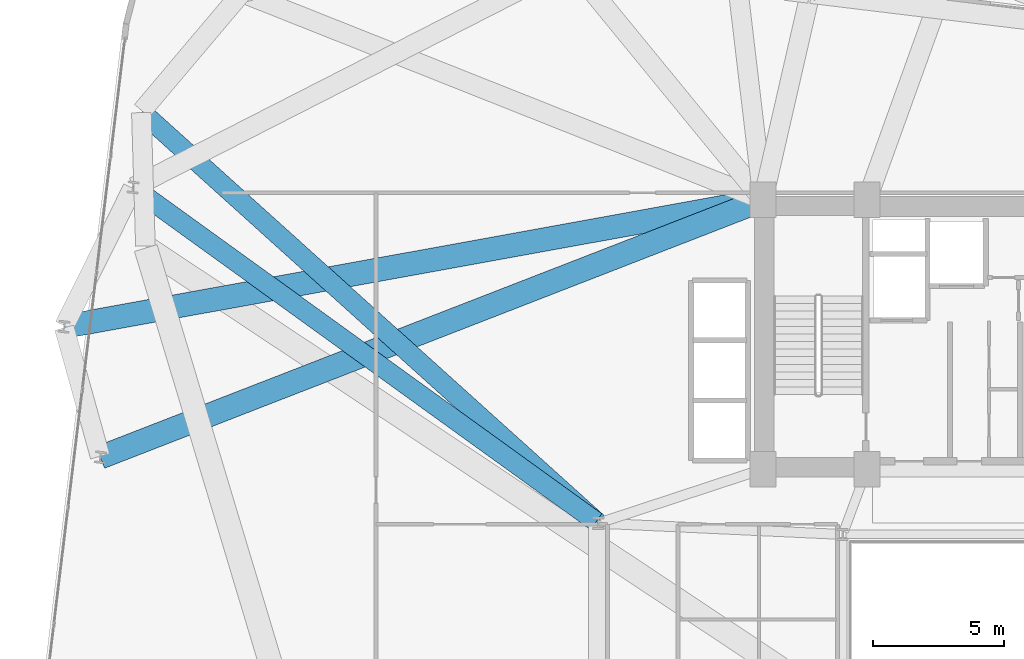
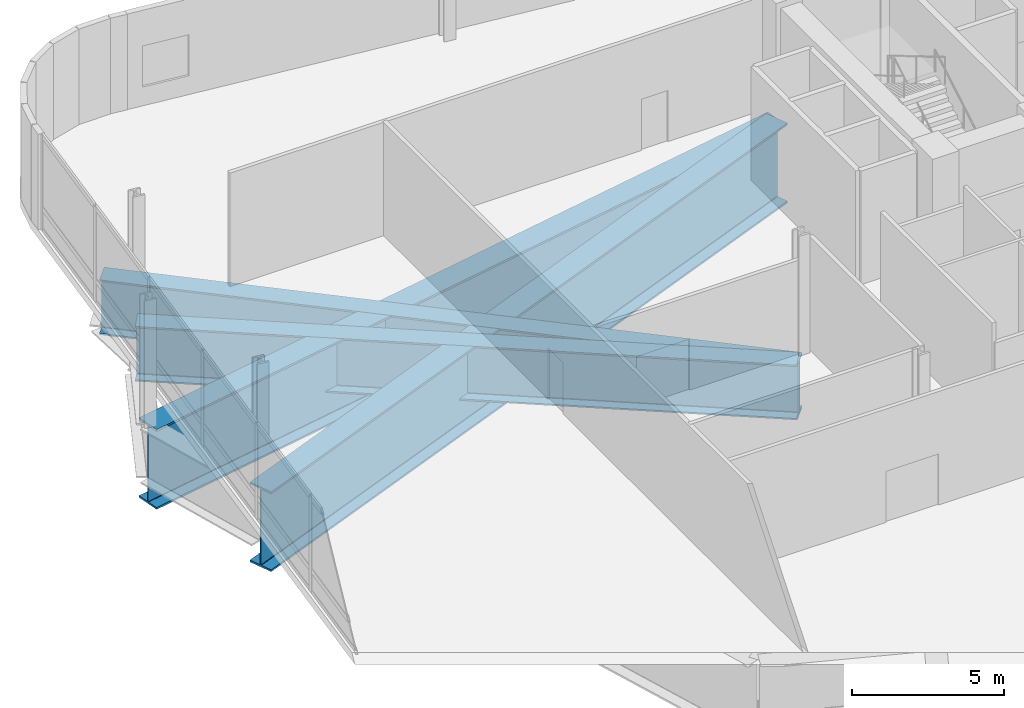
# One storey, part 7 of 22: 4 beams.
"""IFC4 building model written with IfcOpenShell, lengths in metres."""

from ifc_helpers import new_model, si_unit, direction, frame, origin, origin_2d, place, context, subcontext, project, spatial, i_section, extrude, material, material_profile, profile_set, type_object, element, save


model = new_model("IFC4")

# Units and contexts
model_context = context("Model", 3, precision=1e-05, world=origin(), true_north=direction((0.0, 1.0)))
body_context = subcontext(model_context, "Body", "Model", "MODEL_VIEW")
ifc_project = project(units=[si_unit("LENGTHUNIT", "METRE"), si_unit("AREAUNIT", "SQUARE_METRE"), si_unit("VOLUMEUNIT", "CUBIC_METRE"), si_unit("PLANEANGLEUNIT", "RADIAN"), si_unit("MASSUNIT", "GRAM", prefix="KILO")], contexts=[model_context])

# Site, building, storey
site_placement = place(None, origin())
site = spatial("IfcSite", under=ifc_project, at=site_placement, CompositionType="ELEMENT")
building_placement = place(site_placement, origin())
building = spatial("IfcBuilding", under=site, at=building_placement, Name="Varnelok Gate Tower", CompositionType="ELEMENT")
storey_placement = place(building_placement, frame((0.0, 0.0, 116.89990234375)))
storey = spatial("IfcBuildingStorey", under=building, at=storey_placement, Name="L29", CompositionType="ELEMENT", Elevation=116.89990234375)

# Beams
ifc_material = material(Name="Structural Steel ASTM A572 Grade 50", Category="steel")
ifc_material_profile_1 = material_profile(ifc_material, i_section(OverallWidth=0.75, OverallDepth=2.199951171875, WebThickness=0.031982421875, FlangeThickness=0.06005859375, FilletRadius=0.028076171875, at=origin_2d()), Name="PG2200X750")
ifc_profile_set_1 = profile_set([ifc_material_profile_1], Name="Structural Steel ASTM A572 Grade 50")
beam_type_1 = type_object("IfcBeamType", Name="BM-TR-PG2200", PredefinedType="BEAM", material=ifc_profile_set_1)
beam_1_placement = place(storey_placement, frame((24.370361328125, 26.706787109375, -1.419921875), z_axis=(-0.742905156387, 0.669396690022, 0.0), x_axis=(-0.669396690022, -0.742905156387, 0.0)))
element("IfcBeam", 1, at=beam_1_placement, inside=storey, type_object=beam_type_1, Name="L29 Radial Transfer Main Girder 15", PredefinedType="BEAM", context=body_context, shape_type="SweptSolid", body=[
    extrude(i_section(OverallWidth=0.75, OverallDepth=2.199951171875, WebThickness=0.031982421875, FlangeThickness=0.06005859375, FilletRadius=0.028076171875, at=origin_2d()), origin(), (0.0, 0.0, 1.0), 23.44482421875),
])
beam_2_placement = place(storey_placement, frame((24.31884765625, 26.738525390625, -1.419921875), z_axis=(-0.810774994432, 0.58535793187, 0.0), x_axis=(-0.58535793187, -0.810774994432, 0.0)))
element("IfcBeam", 2, at=beam_2_placement, inside=storey, type_object=beam_type_1, Name="L29 Column Transfer Carrier Girder 14", PredefinedType="BEAM", context=body_context, shape_type="SweptSolid", body=[
    extrude(i_section(OverallWidth=0.75, OverallDepth=2.199951171875, WebThickness=0.031982421875, FlangeThickness=0.06005859375, FilletRadius=0.028076171875, at=origin_2d()), origin(), (0.0, 0.0, 1.0), 21.845458984375),
])
ifc_material_profile_2 = material_profile(ifc_material, i_section(OverallWidth=0.89990234375, OverallDepth=3.199951171875, WebThickness=0.0400390625, FlangeThickness=0.074951171875, FilletRadius=0.030029296875, at=origin_2d()), Name="PG3200X900")
ifc_profile_set_2 = profile_set([ifc_material_profile_2], Name="Structural Steel ASTM A572 Grade 50")
beam_type_2 = type_object("IfcBeamType", Name="BM-TR-PG3200", PredefinedType="BEAM", material=ifc_profile_set_2)
beam_3_placement = place(storey_placement, frame((30.6015625, 39.031982421875, -1.919921875), z_axis=(-0.983910285335, -0.178663231839, 0.0), x_axis=(0.178663231839, -0.983910285335, 0.0)))
element("IfcBeam", 3, at=beam_3_placement, inside=storey, type_object=beam_type_2, Name="L29 Column Transfer Carrier Girder 15", PredefinedType="BEAM", context=body_context, shape_type="SweptSolid", body=[
    extrude(i_section(OverallWidth=0.89990234375, OverallDepth=3.199951171875, WebThickness=0.0400390625, FlangeThickness=0.074951171875, FilletRadius=0.030029296875, at=origin_2d()), origin(), (0.0, 0.0, 1.0), 27.07275390625),
])
beam_4_placement = place(storey_placement, frame((30.606689453125, 39.013916015625, -1.919921875), z_axis=(-0.932097152611, -0.362208362816, 0.0), x_axis=(0.362208362816, -0.932097152611, 0.0)))
element("IfcBeam", 4, at=beam_4_placement, inside=storey, type_object=beam_type_2, Name="L29 Column Transfer Carrier Girder 16", PredefinedType="BEAM", context=body_context, shape_type="SweptSolid", body=[
    extrude(i_section(OverallWidth=0.89990234375, OverallDepth=3.199951171875, WebThickness=0.0400390625, FlangeThickness=0.074951171875, FilletRadius=0.030029296875, at=origin_2d()), origin(), (0.0, 0.0, 1.0), 27.0908203125),
])

save(model, "model.ifc")
